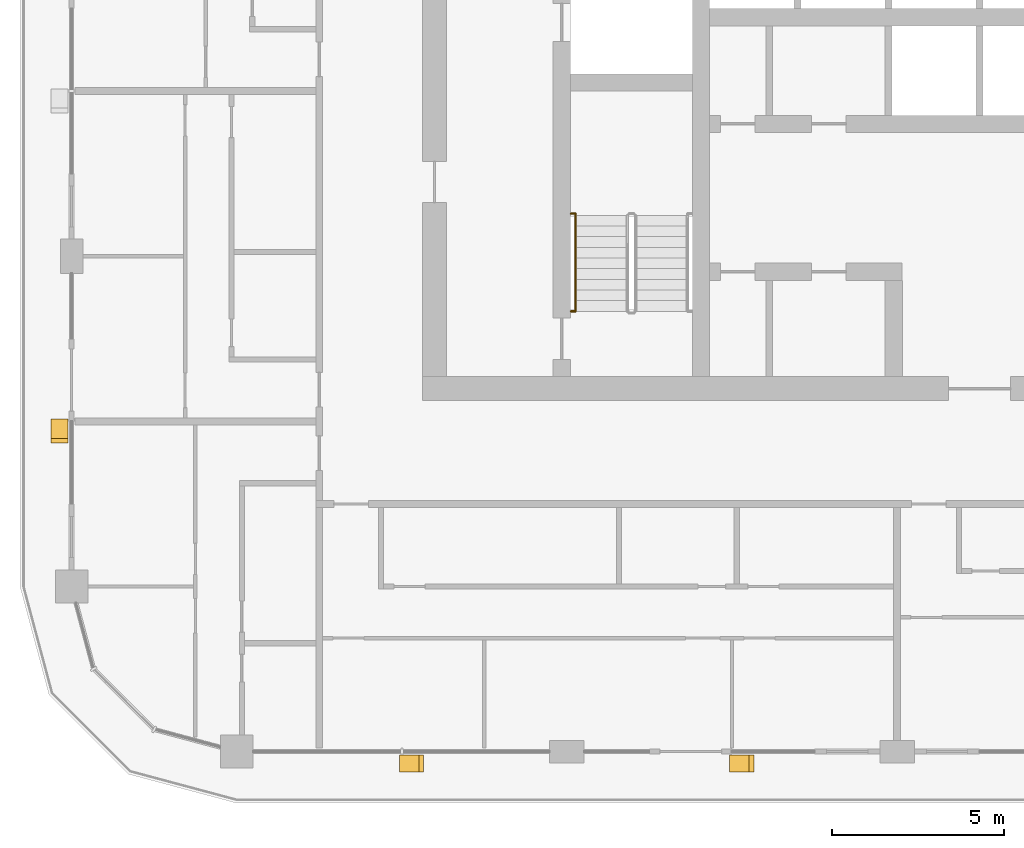
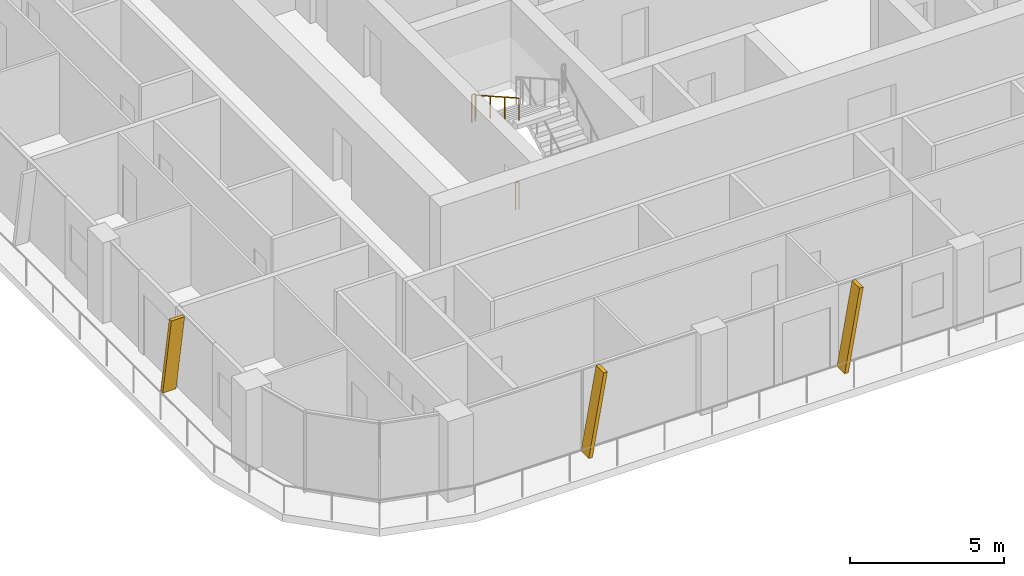
# One storey, part 17 of 23: 3 railings, 3 shading devices.
"""IFC4 building model written with IfcOpenShell, lengths in metres."""

from ifc_helpers import new_model, si_unit, direction, frame, origin, origin_2d, place, context, subcontext, project, spatial, polyline, circle, outline, extrude, material, type_object, element, save


model = new_model("IFC4")

# Units and contexts
model_context = context("Model", 3, precision=1e-05, world=origin(), true_north=direction((0.0, 1.0)))
body_context = subcontext(model_context, "Body", "Model", "MODEL_VIEW")
ifc_project = project(units=[si_unit("LENGTHUNIT", "METRE"), si_unit("AREAUNIT", "SQUARE_METRE"), si_unit("VOLUMEUNIT", "CUBIC_METRE"), si_unit("PLANEANGLEUNIT", "RADIAN"), si_unit("MASSUNIT", "GRAM", prefix="KILO")], contexts=[model_context])

# Site, building, storey
site_placement = place(None, origin())
site = spatial("IfcSite", under=ifc_project, at=site_placement, CompositionType="ELEMENT")
building_placement = place(site_placement, origin())
building = spatial("IfcBuilding", under=site, at=building_placement, Name="Madar Terraces", CompositionType="ELEMENT")
storey_placement = place(building_placement, frame((0.0, 0.0, 212.300048828125)))
storey = spatial("IfcBuildingStorey", under=building, at=storey_placement, Name="L55", CompositionType="ELEMENT", Elevation=212.300048828125)

# Shading devices
ifc_material_1 = material(Name="Aluminium, black anodised", Category="aluminium")
shading_device_type = type_object("IfcShadingDeviceType", Name="Facade fin blade 140 x 500", PredefinedType="USERDEFINED", material=ifc_material_1)
shading_device_1_placement = place(storey_placement, frame((14.330078125, 4.449951171875, 0.0), z_axis=(0.0, 0.0, 1.0), x_axis=(1.0, 0.0, 0.0)))
element("IfcShadingDevice", 1, at=shading_device_1_placement, inside=storey, type_object=shading_device_type, Name="FIN L55 S1", ObjectType="FIN", PredefinedType="USERDEFINED", context=body_context, shape_type="SweptSolid", body=[
    extrude(outline(polyline([(0.0, 0.0), (0.139892578125, 0.0), (0.704345703125, 3.199951171875), (0.564208984375, 3.199951171875), (0.0, 0.0)])), frame((0.0, 0.25, 0.0), z_axis=(0.0, -1.0, 0.0), x_axis=(1.0, 0.0, 0.0)), (0.0, 0.0, 1.0), 0.5),
])
shading_device_2_placement = place(storey_placement, frame((23.929931640625, 4.449951171875, 0.0), z_axis=(0.0, 0.0, 1.0), x_axis=(1.0, 0.0, 0.0)))
element("IfcShadingDevice", 2, at=shading_device_2_placement, inside=storey, type_object=shading_device_type, Name="FIN L55 S2", ObjectType="FIN", PredefinedType="USERDEFINED", context=body_context, shape_type="SweptSolid", body=[
    extrude(outline(polyline([(0.0, 0.0), (0.14013671875, 0.0), (0.704345703125, 3.199951171875), (0.564208984375, 3.199951171875), (0.0, 0.0)])), frame((0.0, 0.25, 0.0), z_axis=(0.0, -1.0, 0.0), x_axis=(1.0, 0.0, 0.0)), (0.0, 0.0, 1.0), 0.5),
])
shading_device_3_placement = place(storey_placement, frame((4.449951171875, 14.469970703125, 0.0), z_axis=(0.0, 0.0, 1.0), x_axis=(0.0, -1.0, 0.0)))
element("IfcShadingDevice", 3, at=shading_device_3_placement, inside=storey, type_object=shading_device_type, Name="FIN L55 W4", ObjectType="FIN", PredefinedType="USERDEFINED", context=body_context, shape_type="SweptSolid", body=[
    extrude(outline(polyline([(0.0, 0.0), (0.139892578125, 0.0), (0.704345703125, 3.199951171875), (0.564208984375, 3.199951171875), (0.0, 0.0)])), frame((0.0, 0.25, 0.0), z_axis=(0.0, -1.0, 0.0), x_axis=(1.0, 0.0, 0.0)), (0.0, 0.0, 1.0), 0.5),
])

# Railings
ifc_material_2 = material(Name="Stainless steel railing", Category="steel")
railing_type_1 = type_object("IfcRailingType", Name="Stair guard 1100", PredefinedType="GUARDRAIL", material=ifc_material_2)
for number, where, name in (
    (4, (19.320068359375, 20.43994140625, 1.75), "L55 stair guard seat 1"),
    (5, (19.320068359375, 17.60009765625, 0.0), "L55 stair guard floor 1"),
):
    element("IfcRailing", number, at=place(storey_placement, frame(where)), inside=storey, type_object=railing_type_1, Name=name, PredefinedType="GUARDRAIL", context=body_context, shape_type="SweptSolid", body=[
        extrude(circle(Radius=0.02392578125, at=origin_2d()), frame((0.0, 0.0, 1.076171875), z_axis=(1.0, 0.0, 0.0), x_axis=(0.0, 1.0, 0.0)), (0.0, 0.0, 1.0), 0.1298828125),
        extrude(circle(Radius=0.02099609375, at=origin_2d()), origin(), (0.0, 0.0, 1.0), 1.052001953125),
        extrude(circle(Radius=0.02099609375, at=origin_2d()), frame((0.1298828125, 0.0, 0.0)), (0.0, 0.0, 1.0), 1.052001953125),
    ])
ifc_material_3 = material(Name="Stainless steel railing", Category="steel")
railing_type_2 = type_object("IfcRailingType", Name="Stair handrail 900", PredefinedType="HANDRAIL", material=ifc_material_3)
railing_placement = place(storey_placement, frame((19.449951171875, 20.389892578125, 1.925048828125)))
element("IfcRailing", 6, at=railing_placement, inside=storey, type_object=railing_type_2, Name="L55 ST1 stair handrail 2", PredefinedType="HANDRAIL", context=body_context, shape_type="SweptSolid", body=[
    extrude(circle(Radius=0.02392578125, at=origin_2d()), frame((0.0, 0.0, 0.8759765625), z_axis=(0.0, -0.870815363784, 0.491610213684), x_axis=(1.0, 0.0, 0.0)), (0.0, 0.0, 1.0), 3.20361328125),
    extrude(circle(Radius=0.02099609375, at=origin_2d()), origin(), (0.0, 0.0, 1.0), 0.851806640625),
    extrude(circle(Radius=0.02099609375, at=origin_2d()), frame((0.0, -0.929931640625, 0.52490234375)), (0.0, 0.0, 1.0), 0.851806640625),
    extrude(circle(Radius=0.02099609375, at=origin_2d()), frame((0.0, -1.85986328125, 1.050048828125)), (0.0, 0.0, 1.0), 0.851806640625),
    extrude(circle(Radius=0.02099609375, at=origin_2d()), frame((0.0, -2.789794921875, 1.574951171875)), (0.0, 0.0, 1.0), 0.851806640625),
])

save(model, "model.ifc")
